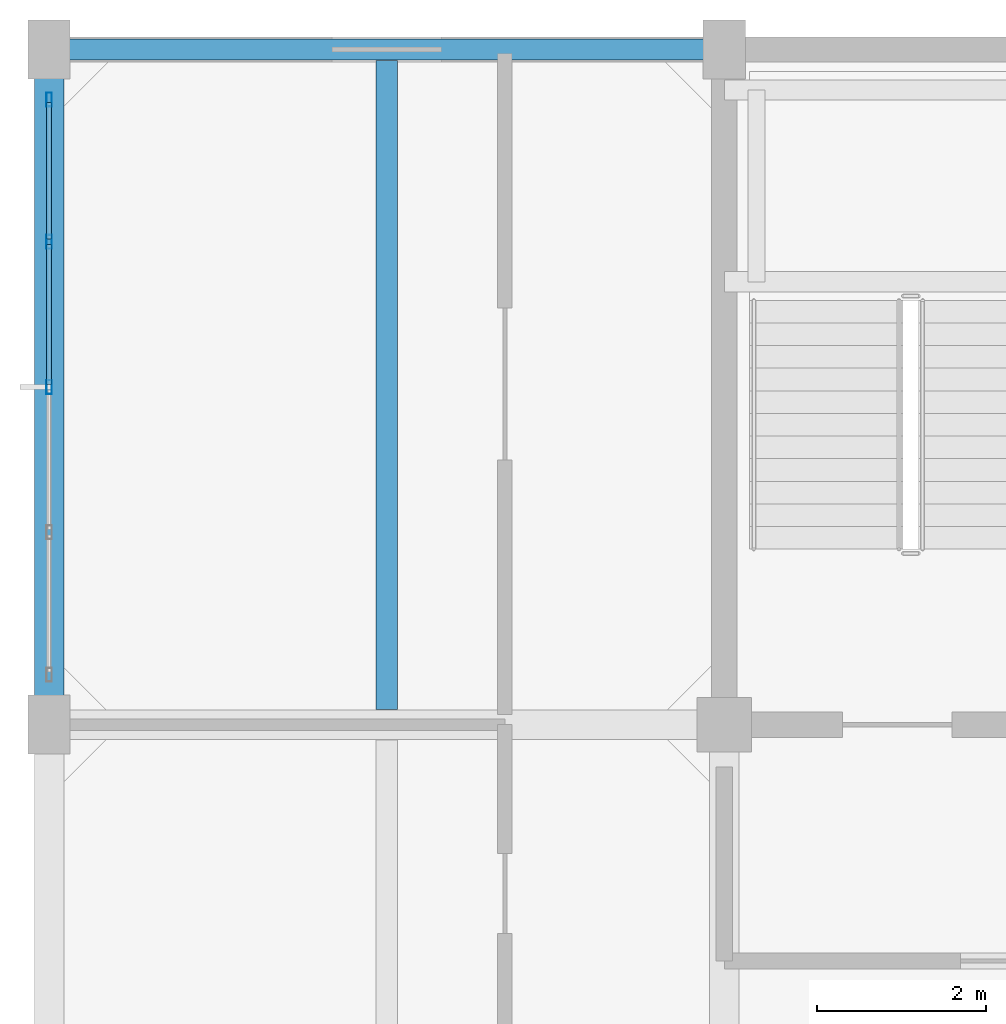
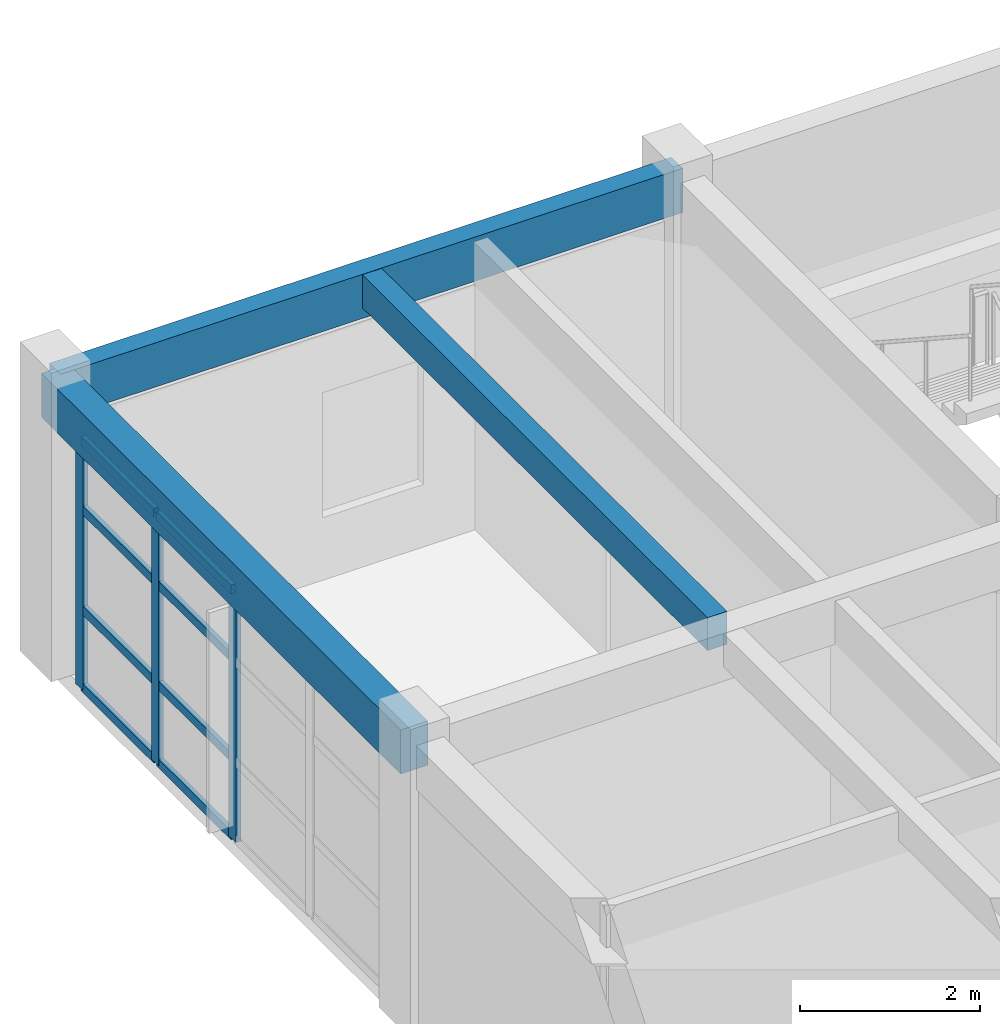
# One storey, part 10 of 20: 11 members, 3 beams, 1 element without a shape of its own.
"""IFC4 building model written with IfcOpenShell, lengths in metres."""

from ifc_helpers import new_model, si_unit, direction, frame, origin, origin_2d, place, context, subcontext, project, spatial, rectangle, hollow_rectangle, extrude, material, layer, layer_set, material_profile, profile_set, type_object, element, aggregate, save


model = new_model("IFC4")

# Units and contexts
model_context = context("Model", 3, precision=1e-05, world=origin(), true_north=direction((0.0, 1.0)))
body_context = subcontext(model_context, "Body", "Model", "MODEL_VIEW")
ifc_project = project(units=[si_unit("LENGTHUNIT", "METRE"), si_unit("AREAUNIT", "SQUARE_METRE"), si_unit("VOLUMEUNIT", "CUBIC_METRE"), si_unit("PLANEANGLEUNIT", "RADIAN"), si_unit("MASSUNIT", "GRAM", prefix="KILO")], contexts=[model_context])

# Site, building, storey
site_placement = place(None, origin())
site = spatial("IfcSite", under=ifc_project, at=site_placement, CompositionType="ELEMENT")
building_placement = place(site_placement, origin())
building = spatial("IfcBuilding", under=site, at=building_placement, Name="Canggui Botanical Conservatory", CompositionType="ELEMENT")
storey_placement = place(building_placement, frame((0.0, 0.0, 57.0)))
storey = spatial("IfcBuildingStorey", under=building, at=storey_placement, Name="L14", CompositionType="ELEMENT", Elevation=57.0)

# Beams
ifc_material_1 = material(Name="Concrete C35", Category="concrete")
ifc_material_profile_1 = material_profile(ifc_material_1, rectangle(XDim=0.25, YDim=0.449951171875, at=origin_2d()), Name="RB 250x450")
ifc_profile_set_1 = profile_set([ifc_material_profile_1], Name="Concrete C35")
beam_type_1 = type_object("IfcBeamType", Name="BM-JST05", PredefinedType="JOIST", material=ifc_profile_set_1)
beam_1_placement = place(storey_placement, frame((150.0, 58.179931640625, 3.735107421875), z_axis=(0.0, 1.0, 0.0), x_axis=(-1.0, 0.0, 0.0)))
element("IfcBeam", 1, at=beam_1_placement, inside=storey, type_object=beam_type_1, Name="Secondary Floor Joist L14-1-3", PredefinedType="JOIST", context=body_context, shape_type="SweptSolid", body=[
    extrude(rectangle(XDim=0.25, YDim=0.449951171875, at=origin_2d()), origin(), (0.0, 0.0, 1.0), 7.690185546875),
])
ifc_material_profile_2 = material_profile(ifc_material_1, rectangle(XDim=0.35009765625, YDim=0.60009765625, at=origin_2d()), Name="RB 350x600")
ifc_profile_set_2 = profile_set([ifc_material_profile_2], Name="Concrete C35")
beam_type_2 = type_object("IfcBeamType", Name="BM-KL19", PredefinedType="BEAM", material=ifc_profile_set_2)
beam_2_placement = place(storey_placement, frame((146.0, 58.0, 3.659912109375), z_axis=(0.0, 1.0, 0.0), x_axis=(-1.0, 0.0, 0.0)))
element("IfcBeam", 2, at=beam_2_placement, inside=storey, type_object=beam_type_2, Name="Frame Girder L14 X146-3", PredefinedType="BEAM", context=body_context, shape_type="SweptSolid", body=[
    extrude(rectangle(XDim=0.35009765625, YDim=0.60009765625, at=origin_2d()), origin(), (0.0, 0.0, 1.0), 8.0),
])
ifc_material_profile_3 = material_profile(ifc_material_1, rectangle(XDim=0.25, YDim=0.60009765625, at=origin_2d()), Name="RB 250x600")
ifc_profile_set_3 = profile_set([ifc_material_profile_3], Name="Concrete C35")
beam_type_3 = type_object("IfcBeamType", Name="BM-SPD02", PredefinedType="SPANDREL", material=ifc_profile_set_3)
beam_3_placement = place(storey_placement, frame((146.0, 66.0, 3.659912109375), z_axis=(1.0, 0.0, 0.0), x_axis=(0.0, 1.0, 0.0)))
element("IfcBeam", 3, at=beam_3_placement, inside=storey, type_object=beam_type_3, Name="Frame Girder L14 Y66-1", PredefinedType="SPANDREL", context=body_context, shape_type="SweptSolid", body=[
    extrude(rectangle(XDim=0.25, YDim=0.60009765625, at=origin_2d()), origin(), (0.0, 0.0, 1.0), 8.0),
])

# Curtain wall, members
ifc_material_2 = material(Name="Thermally Broken Aluminium", Category="aluminium")
ifc_layer = layer(ifc_material_2, 0.1650390625, Name="Thermally Broken Aluminium", Category="aluminium")
ifc_layer_set = layer_set([ifc_layer], Name="Thermally Broken Aluminium")
curtain_wall_type = type_object("IfcCurtainWallType", Name="CW-UNIT-B", PredefinedType="USERDEFINED", material=ifc_layer_set)
curtain_wall_placement = place(storey_placement, origin())
curtain_wall = element("IfcCurtainWall", 4, at=curtain_wall_placement, inside=storey, type_object=curtain_wall_type, Name="Facade Curtain Wall CW-TWR-L14-06", ObjectType="UNITISED CURTAIN WALL", PredefinedType="USERDEFINED")
ifc_material_profile_4 = material_profile(ifc_material_2, hollow_rectangle(XDim=0.06494140625, YDim=0.1650390625, WallThickness=0.00390625, at=origin_2d()), Name="CWM 65x165x4")
ifc_profile_set_4 = profile_set([ifc_material_profile_4], Name="Thermally Broken Aluminium")
member_type_1 = type_object("IfcMemberType", Name="CWM-02", PredefinedType="MULLION", material=ifc_profile_set_4)
member_1_placement = place(storey_placement, frame((146.0, 62.0, 0.0), z_axis=(0.0, 0.0, 1.0), x_axis=(-1.0, 0.0, 0.0)))
member_1 = element("IfcMember", 5, at=member_1_placement, type_object=member_type_1, Name="CW-02 mullion 3", PredefinedType="MULLION", context=body_context, shape_type="SweptSolid", body=[
    extrude(hollow_rectangle(XDim=0.06494140625, YDim=0.1650390625, WallThickness=0.00390625, at=origin_2d()), origin(), (0.0, 0.0, 1.0), 3.39990234375),
])
member_2_placement = place(storey_placement, frame((146.0, 63.719970703125, 0.0), z_axis=(0.0, 0.0, 1.0), x_axis=(-1.0, 0.0, 0.0)))
member_2 = element("IfcMember", 6, at=member_2_placement, type_object=member_type_1, Name="CW-02 mullion 4", PredefinedType="MULLION", context=body_context, shape_type="SweptSolid", body=[
    extrude(hollow_rectangle(XDim=0.06494140625, YDim=0.1650390625, WallThickness=0.00390625, at=origin_2d()), origin(), (0.0, 0.0, 1.0), 3.39990234375),
])
member_3_placement = place(storey_placement, frame((146.0, 65.407470703125, 0.0), z_axis=(0.0, 0.0, 1.0), x_axis=(-1.0, 0.0, 0.0)))
member_3 = element("IfcMember", 7, at=member_3_placement, type_object=member_type_1, Name="CW-02 mullion 5", PredefinedType="MULLION", context=body_context, shape_type="SweptSolid", body=[
    extrude(hollow_rectangle(XDim=0.06494140625, YDim=0.1650390625, WallThickness=0.00390625, at=origin_2d()), origin(), (0.0, 0.0, 1.0), 3.39990234375),
])
ifc_material_profile_5 = material_profile(ifc_material_2, hollow_rectangle(XDim=0.06005859375, YDim=0.1201171875, WallThickness=0.00341796875, at=origin_2d()), Name="CWT 60x120x3.5")
ifc_profile_set_5 = profile_set([ifc_material_profile_5], Name="Thermally Broken Aluminium")
member_type_2 = type_object("IfcMemberType", Name="CWT-02", PredefinedType="USERDEFINED", material=ifc_profile_set_5)
member_4_placement = place(storey_placement, frame((146.0, 62.032470703125, 0.030029296875), z_axis=(0.0, 1.0, 0.0), x_axis=(-1.0, 0.0, 0.0)))
member_4 = element("IfcMember", 8, at=member_4_placement, type_object=member_type_2, Name="CW-02 transom 3.1", ObjectType="TRANSOM", PredefinedType="USERDEFINED", context=body_context, shape_type="SweptSolid", body=[
    extrude(hollow_rectangle(XDim=0.06005859375, YDim=0.1201171875, WallThickness=0.00341796875, at=origin_2d()), origin(), (0.0, 0.0, 1.0), 1.655029296875),
])
member_5_placement = place(storey_placement, frame((146.0, 62.032470703125, 1.087890625), z_axis=(0.0, 1.0, 0.0), x_axis=(-1.0, 0.0, 0.0)))
member_5 = element("IfcMember", 9, at=member_5_placement, type_object=member_type_2, Name="CW-02 transom 3.2", ObjectType="TRANSOM", PredefinedType="USERDEFINED", context=body_context, shape_type="SweptSolid", body=[
    extrude(hollow_rectangle(XDim=0.06005859375, YDim=0.1201171875, WallThickness=0.00341796875, at=origin_2d()), origin(), (0.0, 0.0, 1.0), 1.655029296875),
])
member_6_placement = place(storey_placement, frame((146.0, 62.032470703125, 2.447998046875), z_axis=(0.0, 1.0, 0.0), x_axis=(-1.0, 0.0, 0.0)))
member_6 = element("IfcMember", 10, at=member_6_placement, type_object=member_type_2, Name="CW-02 transom 3.3", ObjectType="TRANSOM", PredefinedType="USERDEFINED", context=body_context, shape_type="SweptSolid", body=[
    extrude(hollow_rectangle(XDim=0.06005859375, YDim=0.1201171875, WallThickness=0.00341796875, at=origin_2d()), origin(), (0.0, 0.0, 1.0), 1.655029296875),
])
member_7_placement = place(storey_placement, frame((146.0, 62.032470703125, 3.3701171875), z_axis=(0.0, 1.0, 0.0), x_axis=(-1.0, 0.0, 0.0)))
member_7 = element("IfcMember", 11, at=member_7_placement, type_object=member_type_2, Name="CW-02 transom 3.4", ObjectType="TRANSOM", PredefinedType="USERDEFINED", context=body_context, shape_type="SweptSolid", body=[
    extrude(hollow_rectangle(XDim=0.06005859375, YDim=0.1201171875, WallThickness=0.00341796875, at=origin_2d()), origin(), (0.0, 0.0, 1.0), 1.655029296875),
])
member_8_placement = place(storey_placement, frame((146.0, 63.75244140625, 0.030029296875), z_axis=(0.0, 1.0, 0.0), x_axis=(-1.0, 0.0, 0.0)))
member_8 = element("IfcMember", 12, at=member_8_placement, type_object=member_type_2, Name="CW-02 transom 4.1", ObjectType="TRANSOM", PredefinedType="USERDEFINED", context=body_context, shape_type="SweptSolid", body=[
    extrude(hollow_rectangle(XDim=0.06005859375, YDim=0.1201171875, WallThickness=0.00341796875, at=origin_2d()), origin(), (0.0, 0.0, 1.0), 1.62255859375),
])
member_9_placement = place(storey_placement, frame((146.0, 63.75244140625, 1.087890625), z_axis=(0.0, 1.0, 0.0), x_axis=(-1.0, 0.0, 0.0)))
member_9 = element("IfcMember", 13, at=member_9_placement, type_object=member_type_2, Name="CW-02 transom 4.2", ObjectType="TRANSOM", PredefinedType="USERDEFINED", context=body_context, shape_type="SweptSolid", body=[
    extrude(hollow_rectangle(XDim=0.06005859375, YDim=0.1201171875, WallThickness=0.00341796875, at=origin_2d()), origin(), (0.0, 0.0, 1.0), 1.62255859375),
])
member_10_placement = place(storey_placement, frame((146.0, 63.75244140625, 2.447998046875), z_axis=(0.0, 1.0, 0.0), x_axis=(-1.0, 0.0, 0.0)))
member_10 = element("IfcMember", 14, at=member_10_placement, type_object=member_type_2, Name="CW-02 transom 4.3", ObjectType="TRANSOM", PredefinedType="USERDEFINED", context=body_context, shape_type="SweptSolid", body=[
    extrude(hollow_rectangle(XDim=0.06005859375, YDim=0.1201171875, WallThickness=0.00341796875, at=origin_2d()), origin(), (0.0, 0.0, 1.0), 1.62255859375),
])
member_11_placement = place(storey_placement, frame((146.0, 63.75244140625, 3.3701171875), z_axis=(0.0, 1.0, 0.0), x_axis=(-1.0, 0.0, 0.0)))
member_11 = element("IfcMember", 15, at=member_11_placement, type_object=member_type_2, Name="CW-02 transom 4.4", ObjectType="TRANSOM", PredefinedType="USERDEFINED", context=body_context, shape_type="SweptSolid", body=[
    extrude(hollow_rectangle(XDim=0.06005859375, YDim=0.1201171875, WallThickness=0.00341796875, at=origin_2d()), origin(), (0.0, 0.0, 1.0), 1.62255859375),
])
aggregate(curtain_wall, [member_1, member_2, member_3, member_4, member_5, member_6, member_7, member_8, member_9, member_10, member_11])

save(model, "model.ifc")
